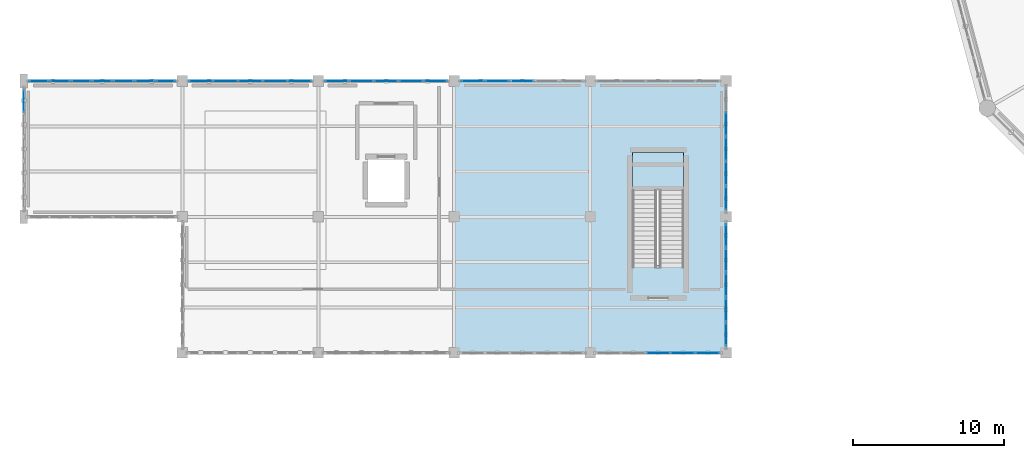
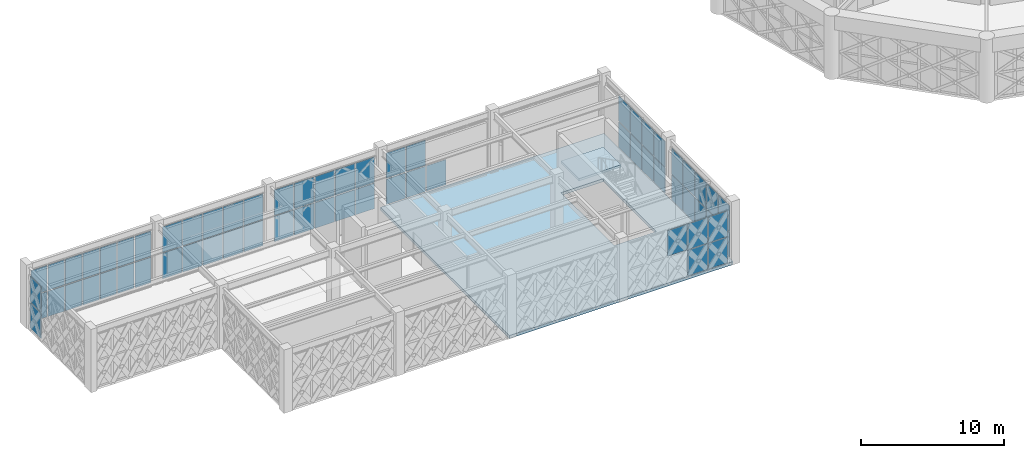
# One storey, part 57 of 72: 64 plates, 2 slabs, 9 elements without a shape of their own.
"""IFC4 building model written with IfcOpenShell, lengths in metres."""

from ifc_helpers import new_model, si_unit, direction, frame, origin, origin_2d, place, context, subcontext, project, spatial, polyline, rectangle, outline, extrude, material, layer, layer_set, type_object, element, aggregate, save


model = new_model("IFC4")

# Units and contexts
model_context = context("Model", 3, precision=1e-05, world=origin(), true_north=direction((0.0, 1.0)))
body_context = subcontext(model_context, "Body", "Model", "MODEL_VIEW")
ifc_project = project(units=[si_unit("LENGTHUNIT", "METRE"), si_unit("AREAUNIT", "SQUARE_METRE"), si_unit("VOLUMEUNIT", "CUBIC_METRE"), si_unit("PLANEANGLEUNIT", "RADIAN"), si_unit("MASSUNIT", "GRAM", prefix="KILO")], contexts=[model_context])

# Site, building, storey
site_placement = place(None, origin())
site = spatial("IfcSite", under=ifc_project, at=site_placement, CompositionType="ELEMENT")
building_placement = place(site_placement, origin())
building = spatial("IfcBuilding", under=site, at=building_placement, Name="Haizhuo Lancet Aquarium", CompositionType="ELEMENT")
storey_placement = place(building_placement, frame((0.0, 0.0, 21.60009765625)))
storey = spatial("IfcBuildingStorey", under=building, at=storey_placement, Name="L04", CompositionType="ELEMENT", Elevation=21.60009765625)

# Curtain wall, plates
ifc_material_1 = material(Name="Aluminium 6063-T6", Category="aluminium")
curtain_wall_type_1 = type_object("IfcCurtainWallType", Name="CWD-8010x4550", PredefinedType="NOTDEFINED", material=ifc_material_1)
curtain_wall_1_placement = place(storey_placement, origin())
curtain_wall_1 = element("IfcCurtainWall", 1, at=curtain_wall_1_placement, inside=storey, type_object=curtain_wall_type_1, Name="L04 curtain wall CW-V6-L04-245", PredefinedType="NOTDEFINED")
ifc_material_2 = material(Name="Laminated Low-E Glass", Category="glass")
ifc_layer_1 = layer(ifc_material_2, 0.028076171875)
ifc_layer_set_1 = layer_set([ifc_layer_1], Name="Laminated Low-E Glass")
plate_type_1 = type_object("IfcPlateType", Name="CW-PNL-1", PredefinedType="CURTAIN_PANEL", material=ifc_layer_set_1)
plate_1_placement = place(storey_placement, frame((-82.5, -10.31494140625, 0.074951171875), z_axis=(0.0, 0.0, 1.0), x_axis=(0.0, 1.0, 0.0)))
plate_1 = element("IfcPlate", 2, at=plate_1_placement, type_object=plate_type_1, Name="CWD-80x45 panel 5.1", PredefinedType="CURTAIN_PANEL", context=body_context, shape_type="SweptSolid", body=[
    extrude(rectangle(XDim=1.489990234375, YDim=0.028076171875, at=origin_2d()), origin(), (0.0, 0.0, 1.0), 2.162109375),
])
plate_2_placement = place(storey_placement, frame((-82.5, -10.31494140625, 2.312744140625), z_axis=(0.0, 0.0, 1.0), x_axis=(0.0, 1.0, 0.0)))
plate_2 = element("IfcPlate", 3, at=plate_2_placement, type_object=plate_type_1, Name="CWD-80x45 panel 5.2", PredefinedType="CURTAIN_PANEL", context=body_context, shape_type="SweptSolid", body=[
    extrude(rectangle(XDim=1.489990234375, YDim=0.028076171875, at=origin_2d()), origin(), (0.0, 0.0, 1.0), 2.162109375),
])
aggregate(curtain_wall_1, [plate_1, plate_2])

curtain_wall_type_2 = type_object("IfcCurtainWallType", Name="CWO-8210x4550", PredefinedType="NOTDEFINED", material=ifc_material_1)
curtain_wall_2_placement = place(storey_placement, origin())
curtain_wall_2 = element("IfcCurtainWall", 4, at=curtain_wall_2_placement, inside=storey, type_object=curtain_wall_type_2, Name="L04 curtain wall CW-V6-L04-249", PredefinedType="NOTDEFINED")
plate_3_placement = place(storey_placement, frame((-52.763916015625, -9.0, 0.08056640625), z_axis=(0.0, 0.0, 1.0), x_axis=(1.0, 0.0, 0.0)))
plate_3 = element("IfcPlate", 5, at=plate_3_placement, type_object=plate_type_1, Name="CWO-82x45 panel 1.1", PredefinedType="CURTAIN_PANEL", context=body_context, shape_type="SweptSolid", body=[
    extrude(rectangle(XDim=1.52197265625, YDim=0.028076171875, at=origin_2d()), origin(), (0.0, 0.0, 1.0), 2.155029296875),
])
plate_4_placement = place(storey_placement, frame((-52.763916015625, -9.0, 2.314453125), z_axis=(0.0, 0.0, 1.0), x_axis=(1.0, 0.0, 0.0)))
plate_4 = element("IfcPlate", 6, at=plate_4_placement, type_object=plate_type_1, Name="CWO-82x45 panel 1.2", PredefinedType="CURTAIN_PANEL", context=body_context, shape_type="SweptSolid", body=[
    extrude(rectangle(XDim=1.52197265625, YDim=0.028076171875, at=origin_2d()), origin(), (0.0, 0.0, 1.0), 2.155029296875),
])
plate_5_placement = place(storey_placement, frame((-51.14208984375, -9.0, 0.08056640625), z_axis=(0.0, 0.0, 1.0), x_axis=(1.0, 0.0, 0.0)))
plate_5 = element("IfcPlate", 7, at=plate_5_placement, type_object=plate_type_1, Name="CWO-82x45 panel 2.1", PredefinedType="CURTAIN_PANEL", context=body_context, shape_type="SweptSolid", body=[
    extrude(rectangle(XDim=1.56201171875, YDim=0.028076171875, at=origin_2d()), origin(), (0.0, 0.0, 1.0), 2.155029296875),
])
plate_6_placement = place(storey_placement, frame((-51.14208984375, -9.0, 2.314453125), z_axis=(0.0, 0.0, 1.0), x_axis=(1.0, 0.0, 0.0)))
plate_6 = element("IfcPlate", 8, at=plate_6_placement, type_object=plate_type_1, Name="CWO-82x45 panel 2.2", PredefinedType="CURTAIN_PANEL", context=body_context, shape_type="SweptSolid", body=[
    extrude(rectangle(XDim=1.56201171875, YDim=0.028076171875, at=origin_2d()), origin(), (0.0, 0.0, 1.0), 2.155029296875),
])
plate_7_placement = place(storey_placement, frame((-49.5, -9.0, 0.08056640625), z_axis=(0.0, 0.0, 1.0), x_axis=(1.0, 0.0, 0.0)))
plate_7 = element("IfcPlate", 9, at=plate_7_placement, type_object=plate_type_1, Name="CWO-82x45 panel 3.1", PredefinedType="CURTAIN_PANEL", context=body_context, shape_type="SweptSolid", body=[
    extrude(rectangle(XDim=1.56201171875, YDim=0.028076171875, at=origin_2d()), origin(), (0.0, 0.0, 1.0), 2.155029296875),
])
aggregate(curtain_wall_2, [plate_3, plate_4, plate_5, plate_6, plate_7])

curtain_wall_type_3 = type_object("IfcCurtainWallType", Name="CWD-8210x4550", PredefinedType="NOTDEFINED", material=ifc_material_1)
curtain_wall_3_placement = place(storey_placement, origin())
curtain_wall_3 = element("IfcCurtainWall", 10, at=curtain_wall_3_placement, inside=storey, type_object=curtain_wall_type_3, Name="L04 curtain wall CW-V6-L04-253", PredefinedType="NOTDEFINED")
plate_8_placement = place(storey_placement, frame((-37.23193359375, -27.0, 0.06494140625), z_axis=(0.0, 0.0, 1.0), x_axis=(-1.0, 0.0, 0.0)))
plate_8 = element("IfcPlate", 11, at=plate_8_placement, type_object=plate_type_1, Name="CWD-82x45 panel 1.1", PredefinedType="CURTAIN_PANEL", context=body_context, shape_type="SweptSolid", body=[
    extrude(rectangle(XDim=1.5439453125, YDim=0.028076171875, at=origin_2d()), origin(), (0.0, 0.0, 1.0), 2.177978515625),
])
plate_9_placement = place(storey_placement, frame((-37.23193359375, -27.0, 2.30712890625), z_axis=(0.0, 0.0, 1.0), x_axis=(-1.0, 0.0, 0.0)))
plate_9 = element("IfcPlate", 12, at=plate_9_placement, type_object=plate_type_1, Name="CWD-82x45 panel 1.2", PredefinedType="CURTAIN_PANEL", context=body_context, shape_type="SweptSolid", body=[
    extrude(rectangle(XDim=1.5439453125, YDim=0.028076171875, at=origin_2d()), origin(), (0.0, 0.0, 1.0), 2.177978515625),
])
plate_10_placement = place(storey_placement, frame((-38.85791015625, -27.0, 0.06494140625), z_axis=(0.0, 0.0, 1.0), x_axis=(-1.0, 0.0, 0.0)))
plate_10 = element("IfcPlate", 13, at=plate_10_placement, type_object=plate_type_1, Name="CWD-82x45 panel 2.1", PredefinedType="CURTAIN_PANEL", context=body_context, shape_type="SweptSolid", body=[
    extrude(rectangle(XDim=1.576904296875, YDim=0.028076171875, at=origin_2d()), origin(), (0.0, 0.0, 1.0), 2.177978515625),
])
plate_11_placement = place(storey_placement, frame((-38.85791015625, -27.0, 2.30712890625), z_axis=(0.0, 0.0, 1.0), x_axis=(-1.0, 0.0, 0.0)))
plate_11 = element("IfcPlate", 14, at=plate_11_placement, type_object=plate_type_1, Name="CWD-82x45 panel 2.2", PredefinedType="CURTAIN_PANEL", context=body_context, shape_type="SweptSolid", body=[
    extrude(rectangle(XDim=1.576904296875, YDim=0.028076171875, at=origin_2d()), origin(), (0.0, 0.0, 1.0), 2.177978515625),
])
plate_12_placement = place(storey_placement, frame((-40.5, -27.0, 2.30712890625), z_axis=(0.0, 0.0, 1.0), x_axis=(-1.0, 0.0, 0.0)))
plate_12 = element("IfcPlate", 15, at=plate_12_placement, type_object=plate_type_1, Name="CWD-82x45 panel 3.2", PredefinedType="CURTAIN_PANEL", context=body_context, shape_type="SweptSolid", body=[
    extrude(rectangle(XDim=1.576904296875, YDim=0.028076171875, at=origin_2d()), origin(), (0.0, 0.0, 1.0), 2.177978515625),
])
aggregate(curtain_wall_3, [plate_8, plate_9, plate_10, plate_11, plate_12])

curtain_wall_type_4 = type_object("IfcCurtainWallType", Name="CWO-9810x4550", PredefinedType="NOTDEFINED", material=ifc_material_1)
curtain_wall_4_placement = place(storey_placement, origin())
curtain_wall_4 = element("IfcCurtainWall", 16, at=curtain_wall_4_placement, inside=storey, type_object=curtain_wall_type_4, Name="L04 curtain wall CW-V6-L04-246", PredefinedType="NOTDEFINED")
ifc_layer_2 = layer(ifc_material_2, 0.033935546875)
ifc_layer_set_2 = layer_set([ifc_layer_2], Name="Laminated Low-E Glass")
plate_type_2 = type_object("IfcPlateType", Name="CW-PNL-2", PredefinedType="CURTAIN_PANEL", material=ifc_layer_set_2)
plate_13_placement = place(storey_placement, frame((-81.48388671875, -9.0, 0.08056640625), z_axis=(0.0, 0.0, 1.0), x_axis=(1.0, 0.0, 0.0)))
plate_13 = element("IfcPlate", 17, at=plate_13_placement, type_object=plate_type_2, Name="CWO-98x45 panel 1.1", PredefinedType="CURTAIN_PANEL", context=body_context, shape_type="SweptSolid", body=[
    extrude(rectangle(XDim=1.281005859375, YDim=0.033935546875, at=origin_2d()), origin(), (0.0, 0.0, 1.0), 2.155029296875),
])
plate_14_placement = place(storey_placement, frame((-81.48388671875, -9.0, 2.314453125), z_axis=(0.0, 0.0, 1.0), x_axis=(1.0, 0.0, 0.0)))
plate_14 = element("IfcPlate", 18, at=plate_14_placement, type_object=plate_type_2, Name="CWO-98x45 panel 1.2", PredefinedType="CURTAIN_PANEL", context=body_context, shape_type="SweptSolid", body=[
    extrude(rectangle(XDim=1.281005859375, YDim=0.033935546875, at=origin_2d()), origin(), (0.0, 0.0, 1.0), 2.155029296875),
])
plate_15_placement = place(storey_placement, frame((-80.10302734375, -9.0, 0.08056640625), z_axis=(0.0, 0.0, 1.0), x_axis=(1.0, 0.0, 0.0)))
plate_15 = element("IfcPlate", 19, at=plate_15_placement, type_object=plate_type_2, Name="CWO-98x45 panel 2.1", PredefinedType="CURTAIN_PANEL", context=body_context, shape_type="SweptSolid", body=[
    extrude(rectangle(XDim=1.321044921875, YDim=0.033935546875, at=origin_2d()), origin(), (0.0, 0.0, 1.0), 2.155029296875),
])
plate_16_placement = place(storey_placement, frame((-80.10302734375, -9.0, 2.314453125), z_axis=(0.0, 0.0, 1.0), x_axis=(1.0, 0.0, 0.0)))
plate_16 = element("IfcPlate", 20, at=plate_16_placement, type_object=plate_type_2, Name="CWO-98x45 panel 2.2", PredefinedType="CURTAIN_PANEL", context=body_context, shape_type="SweptSolid", body=[
    extrude(rectangle(XDim=1.321044921875, YDim=0.033935546875, at=origin_2d()), origin(), (0.0, 0.0, 1.0), 2.155029296875),
])
plate_17_placement = place(storey_placement, frame((-78.700927734375, -9.0, 0.08056640625), z_axis=(0.0, 0.0, 1.0), x_axis=(1.0, 0.0, 0.0)))
plate_17 = element("IfcPlate", 21, at=plate_17_placement, type_object=plate_type_2, Name="CWO-98x45 panel 3.1", PredefinedType="CURTAIN_PANEL", context=body_context, shape_type="SweptSolid", body=[
    extrude(rectangle(XDim=1.321044921875, YDim=0.033935546875, at=origin_2d()), origin(), (0.0, 0.0, 1.0), 2.155029296875),
])
plate_18_placement = place(storey_placement, frame((-78.700927734375, -9.0, 2.314453125), z_axis=(0.0, 0.0, 1.0), x_axis=(1.0, 0.0, 0.0)))
plate_18 = element("IfcPlate", 22, at=plate_18_placement, type_object=plate_type_2, Name="CWO-98x45 panel 3.2", PredefinedType="CURTAIN_PANEL", context=body_context, shape_type="SweptSolid", body=[
    extrude(rectangle(XDim=1.321044921875, YDim=0.033935546875, at=origin_2d()), origin(), (0.0, 0.0, 1.0), 2.155029296875),
])
plate_19_placement = place(storey_placement, frame((-77.300048828125, -9.0, 0.08056640625), z_axis=(0.0, 0.0, 1.0), x_axis=(1.0, 0.0, 0.0)))
plate_19 = element("IfcPlate", 23, at=plate_19_placement, type_object=plate_type_2, Name="CWO-98x45 panel 4.1", PredefinedType="CURTAIN_PANEL", context=body_context, shape_type="SweptSolid", body=[
    extrude(rectangle(XDim=1.321044921875, YDim=0.033935546875, at=origin_2d()), origin(), (0.0, 0.0, 1.0), 2.155029296875),
])
plate_20_placement = place(storey_placement, frame((-77.300048828125, -9.0, 2.314453125), z_axis=(0.0, 0.0, 1.0), x_axis=(1.0, 0.0, 0.0)))
plate_20 = element("IfcPlate", 24, at=plate_20_placement, type_object=plate_type_2, Name="CWO-98x45 panel 4.2", PredefinedType="CURTAIN_PANEL", context=body_context, shape_type="SweptSolid", body=[
    extrude(rectangle(XDim=1.321044921875, YDim=0.033935546875, at=origin_2d()), origin(), (0.0, 0.0, 1.0), 2.155029296875),
])
plate_21_placement = place(storey_placement, frame((-75.89892578125, -9.0, 0.08056640625), z_axis=(0.0, 0.0, 1.0), x_axis=(1.0, 0.0, 0.0)))
plate_21 = element("IfcPlate", 25, at=plate_21_placement, type_object=plate_type_2, Name="CWO-98x45 panel 5.1", PredefinedType="CURTAIN_PANEL", context=body_context, shape_type="SweptSolid", body=[
    extrude(rectangle(XDim=1.321044921875, YDim=0.033935546875, at=origin_2d()), origin(), (0.0, 0.0, 1.0), 2.155029296875),
])
plate_22_placement = place(storey_placement, frame((-75.89892578125, -9.0, 2.314453125), z_axis=(0.0, 0.0, 1.0), x_axis=(1.0, 0.0, 0.0)))
plate_22 = element("IfcPlate", 26, at=plate_22_placement, type_object=plate_type_2, Name="CWO-98x45 panel 5.2", PredefinedType="CURTAIN_PANEL", context=body_context, shape_type="SweptSolid", body=[
    extrude(rectangle(XDim=1.321044921875, YDim=0.033935546875, at=origin_2d()), origin(), (0.0, 0.0, 1.0), 2.155029296875),
])
plate_23_placement = place(storey_placement, frame((-74.4970703125, -9.0, 0.08056640625), z_axis=(0.0, 0.0, 1.0), x_axis=(1.0, 0.0, 0.0)))
plate_23 = element("IfcPlate", 27, at=plate_23_placement, type_object=plate_type_2, Name="CWO-98x45 panel 6.1", PredefinedType="CURTAIN_PANEL", context=body_context, shape_type="SweptSolid", body=[
    extrude(rectangle(XDim=1.321044921875, YDim=0.033935546875, at=origin_2d()), origin(), (0.0, 0.0, 1.0), 2.155029296875),
])
plate_24_placement = place(storey_placement, frame((-74.4970703125, -9.0, 2.314453125), z_axis=(0.0, 0.0, 1.0), x_axis=(1.0, 0.0, 0.0)))
plate_24 = element("IfcPlate", 28, at=plate_24_placement, type_object=plate_type_2, Name="CWO-98x45 panel 6.2", PredefinedType="CURTAIN_PANEL", context=body_context, shape_type="SweptSolid", body=[
    extrude(rectangle(XDim=1.321044921875, YDim=0.033935546875, at=origin_2d()), origin(), (0.0, 0.0, 1.0), 2.155029296875),
])
plate_25_placement = place(storey_placement, frame((-73.115966796875, -9.0, 0.08056640625), z_axis=(0.0, 0.0, 1.0), x_axis=(1.0, 0.0, 0.0)))
plate_25 = element("IfcPlate", 29, at=plate_25_placement, type_object=plate_type_2, Name="CWO-98x45 panel 7.1", PredefinedType="CURTAIN_PANEL", context=body_context, shape_type="SweptSolid", body=[
    extrude(rectangle(XDim=1.281005859375, YDim=0.033935546875, at=origin_2d()), origin(), (0.0, 0.0, 1.0), 2.155029296875),
])
plate_26_placement = place(storey_placement, frame((-73.115966796875, -9.0, 2.314453125), z_axis=(0.0, 0.0, 1.0), x_axis=(1.0, 0.0, 0.0)))
plate_26 = element("IfcPlate", 30, at=plate_26_placement, type_object=plate_type_2, Name="CWO-98x45 panel 7.2", PredefinedType="CURTAIN_PANEL", context=body_context, shape_type="SweptSolid", body=[
    extrude(rectangle(XDim=1.281005859375, YDim=0.033935546875, at=origin_2d()), origin(), (0.0, 0.0, 1.0), 2.155029296875),
])
aggregate(curtain_wall_4, [plate_13, plate_14, plate_15, plate_16, plate_17, plate_18, plate_19, plate_20, plate_21, plate_22, plate_23, plate_24, plate_25, plate_26])

curtain_wall_5_placement = place(storey_placement, origin())
curtain_wall_5 = element("IfcCurtainWall", 31, at=curtain_wall_5_placement, inside=storey, type_object=curtain_wall_type_2, Name="L04 curtain wall CW-V6-L04-247", PredefinedType="NOTDEFINED")
ifc_layer_3 = layer(ifc_material_2, 0.0419921875)
ifc_layer_set_3 = layer_set([ifc_layer_3], Name="Laminated Low-E Glass")
plate_type_3 = type_object("IfcPlateType", Name="CW-PNL-3", PredefinedType="CURTAIN_PANEL", material=ifc_layer_set_3)
plate_27_placement = place(storey_placement, frame((-70.76806640625, -9.0, 0.06494140625), z_axis=(0.0, 0.0, 1.0), x_axis=(1.0, 0.0, 0.0)))
plate_27 = element("IfcPlate", 32, at=plate_27_placement, type_object=plate_type_3, Name="CWO-82x45 panel 1.1", PredefinedType="CURTAIN_PANEL", context=body_context, shape_type="SweptSolid", body=[
    extrude(rectangle(XDim=1.544921875, YDim=0.0419921875, at=origin_2d()), origin(), (0.0, 0.0, 1.0), 2.177978515625),
])
plate_28_placement = place(storey_placement, frame((-70.76806640625, -9.0, 2.30712890625), z_axis=(0.0, 0.0, 1.0), x_axis=(1.0, 0.0, 0.0)))
plate_28 = element("IfcPlate", 33, at=plate_28_placement, type_object=plate_type_3, Name="CWO-82x45 panel 1.2", PredefinedType="CURTAIN_PANEL", context=body_context, shape_type="SweptSolid", body=[
    extrude(rectangle(XDim=1.544921875, YDim=0.0419921875, at=origin_2d()), origin(), (0.0, 0.0, 1.0), 2.177978515625),
])
plate_29_placement = place(storey_placement, frame((-69.14208984375, -9.0, 0.06494140625), z_axis=(0.0, 0.0, 1.0), x_axis=(1.0, 0.0, 0.0)))
plate_29 = element("IfcPlate", 34, at=plate_29_placement, type_object=plate_type_3, Name="CWO-82x45 panel 2.1", PredefinedType="CURTAIN_PANEL", context=body_context, shape_type="SweptSolid", body=[
    extrude(rectangle(XDim=1.576904296875, YDim=0.0419921875, at=origin_2d()), origin(), (0.0, 0.0, 1.0), 2.177978515625),
])
plate_30_placement = place(storey_placement, frame((-69.14208984375, -9.0, 2.30712890625), z_axis=(0.0, 0.0, 1.0), x_axis=(1.0, 0.0, 0.0)))
plate_30 = element("IfcPlate", 35, at=plate_30_placement, type_object=plate_type_3, Name="CWO-82x45 panel 2.2", PredefinedType="CURTAIN_PANEL", context=body_context, shape_type="SweptSolid", body=[
    extrude(rectangle(XDim=1.576904296875, YDim=0.0419921875, at=origin_2d()), origin(), (0.0, 0.0, 1.0), 2.177978515625),
])
plate_31_placement = place(storey_placement, frame((-67.5, -9.0, 0.06494140625), z_axis=(0.0, 0.0, 1.0), x_axis=(1.0, 0.0, 0.0)))
plate_31 = element("IfcPlate", 36, at=plate_31_placement, type_object=plate_type_3, Name="CWO-82x45 panel 3.1", PredefinedType="CURTAIN_PANEL", context=body_context, shape_type="SweptSolid", body=[
    extrude(rectangle(XDim=1.576904296875, YDim=0.0419921875, at=origin_2d()), origin(), (0.0, 0.0, 1.0), 2.177978515625),
])
plate_32_placement = place(storey_placement, frame((-67.5, -9.0, 2.30712890625), z_axis=(0.0, 0.0, 1.0), x_axis=(1.0, 0.0, 0.0)))
plate_32 = element("IfcPlate", 37, at=plate_32_placement, type_object=plate_type_3, Name="CWO-82x45 panel 3.2", PredefinedType="CURTAIN_PANEL", context=body_context, shape_type="SweptSolid", body=[
    extrude(rectangle(XDim=1.576904296875, YDim=0.0419921875, at=origin_2d()), origin(), (0.0, 0.0, 1.0), 2.177978515625),
])
plate_33_placement = place(storey_placement, frame((-65.85791015625, -9.0, 0.06494140625), z_axis=(0.0, 0.0, 1.0), x_axis=(1.0, 0.0, 0.0)))
plate_33 = element("IfcPlate", 38, at=plate_33_placement, type_object=plate_type_3, Name="CWO-82x45 panel 4.1", PredefinedType="CURTAIN_PANEL", context=body_context, shape_type="SweptSolid", body=[
    extrude(rectangle(XDim=1.576904296875, YDim=0.0419921875, at=origin_2d()), origin(), (0.0, 0.0, 1.0), 2.177978515625),
])
plate_34_placement = place(storey_placement, frame((-65.85791015625, -9.0, 2.30712890625), z_axis=(0.0, 0.0, 1.0), x_axis=(1.0, 0.0, 0.0)))
plate_34 = element("IfcPlate", 39, at=plate_34_placement, type_object=plate_type_3, Name="CWO-82x45 panel 4.2", PredefinedType="CURTAIN_PANEL", context=body_context, shape_type="SweptSolid", body=[
    extrude(rectangle(XDim=1.576904296875, YDim=0.0419921875, at=origin_2d()), origin(), (0.0, 0.0, 1.0), 2.177978515625),
])
plate_35_placement = place(storey_placement, frame((-64.23193359375, -9.0, 0.06494140625), z_axis=(0.0, 0.0, 1.0), x_axis=(1.0, 0.0, 0.0)))
plate_35 = element("IfcPlate", 40, at=plate_35_placement, type_object=plate_type_3, Name="CWO-82x45 panel 5.1", PredefinedType="CURTAIN_PANEL", context=body_context, shape_type="SweptSolid", body=[
    extrude(rectangle(XDim=1.5439453125, YDim=0.0419921875, at=origin_2d()), origin(), (0.0, 0.0, 1.0), 2.177978515625),
])
plate_36_placement = place(storey_placement, frame((-64.23193359375, -9.0, 2.30712890625), z_axis=(0.0, 0.0, 1.0), x_axis=(1.0, 0.0, 0.0)))
plate_36 = element("IfcPlate", 41, at=plate_36_placement, type_object=plate_type_3, Name="CWO-82x45 panel 5.2", PredefinedType="CURTAIN_PANEL", context=body_context, shape_type="SweptSolid", body=[
    extrude(rectangle(XDim=1.5439453125, YDim=0.0419921875, at=origin_2d()), origin(), (0.0, 0.0, 1.0), 2.177978515625),
])
aggregate(curtain_wall_5, [plate_27, plate_28, plate_29, plate_30, plate_31, plate_32, plate_33, plate_34, plate_35, plate_36])

curtain_wall_6_placement = place(storey_placement, origin())
curtain_wall_6 = element("IfcCurtainWall", 42, at=curtain_wall_6_placement, inside=storey, type_object=curtain_wall_type_3, Name="L04 curtain wall CW-V6-L04-251", PredefinedType="NOTDEFINED")
plate_37_placement = place(storey_placement, frame((-36.0, -11.85791015625, 0.074951171875), z_axis=(0.0, 0.0, 1.0), x_axis=(0.0, -1.0, 0.0)))
plate_37 = element("IfcPlate", 43, at=plate_37_placement, type_object=plate_type_3, Name="CWD-82x45 panel 2.1", PredefinedType="CURTAIN_PANEL", context=body_context, shape_type="SweptSolid", body=[
    extrude(rectangle(XDim=1.56689453125, YDim=0.0419921875, at=origin_2d()), origin(), (0.0, 0.0, 1.0), 2.162109375),
])
plate_38_placement = place(storey_placement, frame((-36.0, -11.85791015625, 2.312744140625), z_axis=(0.0, 0.0, 1.0), x_axis=(0.0, -1.0, 0.0)))
plate_38 = element("IfcPlate", 44, at=plate_38_placement, type_object=plate_type_3, Name="CWD-82x45 panel 2.2", PredefinedType="CURTAIN_PANEL", context=body_context, shape_type="SweptSolid", body=[
    extrude(rectangle(XDim=1.56689453125, YDim=0.0419921875, at=origin_2d()), origin(), (0.0, 0.0, 1.0), 2.162109375),
])
plate_39_placement = place(storey_placement, frame((-36.0, -13.5, 0.074951171875), z_axis=(0.0, 0.0, 1.0), x_axis=(0.0, -1.0, 0.0)))
plate_39 = element("IfcPlate", 45, at=plate_39_placement, type_object=plate_type_3, Name="CWD-82x45 panel 3.1", PredefinedType="CURTAIN_PANEL", context=body_context, shape_type="SweptSolid", body=[
    extrude(rectangle(XDim=1.56689453125, YDim=0.0419921875, at=origin_2d()), origin(), (0.0, 0.0, 1.0), 2.162109375),
])
plate_40_placement = place(storey_placement, frame((-36.0, -13.5, 2.312744140625), z_axis=(0.0, 0.0, 1.0), x_axis=(0.0, -1.0, 0.0)))
plate_40 = element("IfcPlate", 46, at=plate_40_placement, type_object=plate_type_3, Name="CWD-82x45 panel 3.2", PredefinedType="CURTAIN_PANEL", context=body_context, shape_type="SweptSolid", body=[
    extrude(rectangle(XDim=1.56689453125, YDim=0.0419921875, at=origin_2d()), origin(), (0.0, 0.0, 1.0), 2.162109375),
])
plate_41_placement = place(storey_placement, frame((-36.0, -15.14208984375, 0.074951171875), z_axis=(0.0, 0.0, 1.0), x_axis=(0.0, -1.0, 0.0)))
plate_41 = element("IfcPlate", 47, at=plate_41_placement, type_object=plate_type_3, Name="CWD-82x45 panel 4.1", PredefinedType="CURTAIN_PANEL", context=body_context, shape_type="SweptSolid", body=[
    extrude(rectangle(XDim=1.56689453125, YDim=0.0419921875, at=origin_2d()), origin(), (0.0, 0.0, 1.0), 2.162109375),
])
plate_42_placement = place(storey_placement, frame((-36.0, -15.14208984375, 2.312744140625), z_axis=(0.0, 0.0, 1.0), x_axis=(0.0, -1.0, 0.0)))
plate_42 = element("IfcPlate", 48, at=plate_42_placement, type_object=plate_type_3, Name="CWD-82x45 panel 4.2", PredefinedType="CURTAIN_PANEL", context=body_context, shape_type="SweptSolid", body=[
    extrude(rectangle(XDim=1.56689453125, YDim=0.0419921875, at=origin_2d()), origin(), (0.0, 0.0, 1.0), 2.162109375),
])
plate_43_placement = place(storey_placement, frame((-36.0, -16.764892578125, 0.074951171875), z_axis=(0.0, 0.0, 1.0), x_axis=(0.0, -1.0, 0.0)))
plate_43 = element("IfcPlate", 49, at=plate_43_placement, type_object=plate_type_3, Name="CWD-82x45 panel 5.1", PredefinedType="CURTAIN_PANEL", context=body_context, shape_type="SweptSolid", body=[
    extrude(rectangle(XDim=1.530029296875, YDim=0.0419921875, at=origin_2d()), origin(), (0.0, 0.0, 1.0), 2.162109375),
])
plate_44_placement = place(storey_placement, frame((-36.0, -16.764892578125, 2.312744140625), z_axis=(0.0, 0.0, 1.0), x_axis=(0.0, -1.0, 0.0)))
plate_44 = element("IfcPlate", 50, at=plate_44_placement, type_object=plate_type_3, Name="CWD-82x45 panel 5.2", PredefinedType="CURTAIN_PANEL", context=body_context, shape_type="SweptSolid", body=[
    extrude(rectangle(XDim=1.530029296875, YDim=0.0419921875, at=origin_2d()), origin(), (0.0, 0.0, 1.0), 2.162109375),
])
aggregate(curtain_wall_6, [plate_37, plate_38, plate_39, plate_40, plate_41, plate_42, plate_43, plate_44])

curtain_wall_7_placement = place(storey_placement, origin())
curtain_wall_7 = element("IfcCurtainWall", 51, at=curtain_wall_7_placement, inside=storey, type_object=curtain_wall_type_2, Name="L04 curtain wall CW-V6-L04-248", PredefinedType="NOTDEFINED")
ifc_layer_4 = layer(ifc_material_2, 0.052001953125)
ifc_layer_set_4 = layer_set([ifc_layer_4], Name="Laminated Low-E Glass")
plate_type_4 = type_object("IfcPlateType", Name="CW-PNL-4", PredefinedType="CURTAIN_PANEL", material=ifc_layer_set_4)
plate_45_placement = place(storey_placement, frame((-61.764892578125, -9.0, 0.074951171875), z_axis=(0.0, 0.0, 1.0), x_axis=(1.0, 0.0, 0.0)))
plate_45 = element("IfcPlate", 52, at=plate_45_placement, type_object=plate_type_4, Name="CWO-82x45 panel 1.1", PredefinedType="CURTAIN_PANEL", context=body_context, shape_type="SweptSolid", body=[
    extrude(rectangle(XDim=1.529052734375, YDim=0.052001953125, at=origin_2d()), origin(), (0.0, 0.0, 1.0), 2.162109375),
])
plate_46_placement = place(storey_placement, frame((-61.764892578125, -9.0, 2.312744140625), z_axis=(0.0, 0.0, 1.0), x_axis=(1.0, 0.0, 0.0)))
plate_46 = element("IfcPlate", 53, at=plate_46_placement, type_object=plate_type_4, Name="CWO-82x45 panel 1.2", PredefinedType="CURTAIN_PANEL", context=body_context, shape_type="SweptSolid", body=[
    extrude(rectangle(XDim=1.529052734375, YDim=0.052001953125, at=origin_2d()), origin(), (0.0, 0.0, 1.0), 2.162109375),
])
plate_47_placement = place(storey_placement, frame((-60.14208984375, -9.0, 0.074951171875), z_axis=(0.0, 0.0, 1.0), x_axis=(1.0, 0.0, 0.0)))
plate_47 = element("IfcPlate", 54, at=plate_47_placement, type_object=plate_type_4, Name="CWO-82x45 panel 2.1", PredefinedType="CURTAIN_PANEL", context=body_context, shape_type="SweptSolid", body=[
    extrude(rectangle(XDim=1.56689453125, YDim=0.052001953125, at=origin_2d()), origin(), (0.0, 0.0, 1.0), 2.162109375),
])
plate_48_placement = place(storey_placement, frame((-60.14208984375, -9.0, 2.312744140625), z_axis=(0.0, 0.0, 1.0), x_axis=(1.0, 0.0, 0.0)))
plate_48 = element("IfcPlate", 55, at=plate_48_placement, type_object=plate_type_4, Name="CWO-82x45 panel 2.2", PredefinedType="CURTAIN_PANEL", context=body_context, shape_type="SweptSolid", body=[
    extrude(rectangle(XDim=1.56689453125, YDim=0.052001953125, at=origin_2d()), origin(), (0.0, 0.0, 1.0), 2.162109375),
])
plate_49_placement = place(storey_placement, frame((-58.5, -9.0, 0.074951171875), z_axis=(0.0, 0.0, 1.0), x_axis=(1.0, 0.0, 0.0)))
plate_49 = element("IfcPlate", 56, at=plate_49_placement, type_object=plate_type_4, Name="CWO-82x45 panel 3.1", PredefinedType="CURTAIN_PANEL", context=body_context, shape_type="SweptSolid", body=[
    extrude(rectangle(XDim=1.56689453125, YDim=0.052001953125, at=origin_2d()), origin(), (0.0, 0.0, 1.0), 2.162109375),
])
plate_50_placement = place(storey_placement, frame((-58.5, -9.0, 2.312744140625), z_axis=(0.0, 0.0, 1.0), x_axis=(1.0, 0.0, 0.0)))
plate_50 = element("IfcPlate", 57, at=plate_50_placement, type_object=plate_type_4, Name="CWO-82x45 panel 3.2", PredefinedType="CURTAIN_PANEL", context=body_context, shape_type="SweptSolid", body=[
    extrude(rectangle(XDim=1.56689453125, YDim=0.052001953125, at=origin_2d()), origin(), (0.0, 0.0, 1.0), 2.162109375),
])
plate_51_placement = place(storey_placement, frame((-56.85791015625, -9.0, 0.074951171875), z_axis=(0.0, 0.0, 1.0), x_axis=(1.0, 0.0, 0.0)))
plate_51 = element("IfcPlate", 58, at=plate_51_placement, type_object=plate_type_4, Name="CWO-82x45 panel 4.1", PredefinedType="CURTAIN_PANEL", context=body_context, shape_type="SweptSolid", body=[
    extrude(rectangle(XDim=1.56689453125, YDim=0.052001953125, at=origin_2d()), origin(), (0.0, 0.0, 1.0), 2.162109375),
])
plate_52_placement = place(storey_placement, frame((-56.85791015625, -9.0, 2.312744140625), z_axis=(0.0, 0.0, 1.0), x_axis=(1.0, 0.0, 0.0)))
plate_52 = element("IfcPlate", 59, at=plate_52_placement, type_object=plate_type_4, Name="CWO-82x45 panel 4.2", PredefinedType="CURTAIN_PANEL", context=body_context, shape_type="SweptSolid", body=[
    extrude(rectangle(XDim=1.56689453125, YDim=0.052001953125, at=origin_2d()), origin(), (0.0, 0.0, 1.0), 2.162109375),
])
plate_53_placement = place(storey_placement, frame((-55.235107421875, -9.0, 0.074951171875), z_axis=(0.0, 0.0, 1.0), x_axis=(1.0, 0.0, 0.0)))
plate_53 = element("IfcPlate", 60, at=plate_53_placement, type_object=plate_type_4, Name="CWO-82x45 panel 5.1", PredefinedType="CURTAIN_PANEL", context=body_context, shape_type="SweptSolid", body=[
    extrude(rectangle(XDim=1.529052734375, YDim=0.052001953125, at=origin_2d()), origin(), (0.0, 0.0, 1.0), 2.162109375),
])
plate_54_placement = place(storey_placement, frame((-55.235107421875, -9.0, 2.312744140625), z_axis=(0.0, 0.0, 1.0), x_axis=(1.0, 0.0, 0.0)))
plate_54 = element("IfcPlate", 61, at=plate_54_placement, type_object=plate_type_4, Name="CWO-82x45 panel 5.2", PredefinedType="CURTAIN_PANEL", context=body_context, shape_type="SweptSolid", body=[
    extrude(rectangle(XDim=1.529052734375, YDim=0.052001953125, at=origin_2d()), origin(), (0.0, 0.0, 1.0), 2.162109375),
])
aggregate(curtain_wall_7, [plate_45, plate_46, plate_47, plate_48, plate_49, plate_50, plate_51, plate_52, plate_53, plate_54])

curtain_wall_8_placement = place(storey_placement, origin())
curtain_wall_8 = element("IfcCurtainWall", 62, at=curtain_wall_8_placement, inside=storey, type_object=curtain_wall_type_3, Name="L04 curtain wall CW-V6-L04-252", PredefinedType="NOTDEFINED")
plate_55_placement = place(storey_placement, frame((-36.0, -19.236083984375, 0.08056640625), z_axis=(0.0, 0.0, 1.0), x_axis=(0.0, -1.0, 0.0)))
plate_55 = element("IfcPlate", 63, at=plate_55_placement, type_object=plate_type_4, Name="CWD-82x45 panel 1.1", PredefinedType="CURTAIN_PANEL", context=body_context, shape_type="SweptSolid", body=[
    extrude(rectangle(XDim=1.52197265625, YDim=0.052001953125, at=origin_2d()), origin(), (0.0, 0.0, 1.0), 2.155029296875),
])
plate_56_placement = place(storey_placement, frame((-36.0, -19.236083984375, 2.314453125), z_axis=(0.0, 0.0, 1.0), x_axis=(0.0, -1.0, 0.0)))
plate_56 = element("IfcPlate", 64, at=plate_56_placement, type_object=plate_type_4, Name="CWD-82x45 panel 1.2", PredefinedType="CURTAIN_PANEL", context=body_context, shape_type="SweptSolid", body=[
    extrude(rectangle(XDim=1.52197265625, YDim=0.052001953125, at=origin_2d()), origin(), (0.0, 0.0, 1.0), 2.155029296875),
])
plate_57_placement = place(storey_placement, frame((-36.0, -20.85791015625, 0.08056640625), z_axis=(0.0, 0.0, 1.0), x_axis=(0.0, -1.0, 0.0)))
plate_57 = element("IfcPlate", 65, at=plate_57_placement, type_object=plate_type_4, Name="CWD-82x45 panel 2.1", PredefinedType="CURTAIN_PANEL", context=body_context, shape_type="SweptSolid", body=[
    extrude(rectangle(XDim=1.56201171875, YDim=0.052001953125, at=origin_2d()), origin(), (0.0, 0.0, 1.0), 2.155029296875),
])
plate_58_placement = place(storey_placement, frame((-36.0, -20.85791015625, 2.314453125), z_axis=(0.0, 0.0, 1.0), x_axis=(0.0, -1.0, 0.0)))
plate_58 = element("IfcPlate", 66, at=plate_58_placement, type_object=plate_type_4, Name="CWD-82x45 panel 2.2", PredefinedType="CURTAIN_PANEL", context=body_context, shape_type="SweptSolid", body=[
    extrude(rectangle(XDim=1.56201171875, YDim=0.052001953125, at=origin_2d()), origin(), (0.0, 0.0, 1.0), 2.155029296875),
])
plate_59_placement = place(storey_placement, frame((-36.0, -22.5, 0.08056640625), z_axis=(0.0, 0.0, 1.0), x_axis=(0.0, -1.0, 0.0)))
plate_59 = element("IfcPlate", 67, at=plate_59_placement, type_object=plate_type_4, Name="CWD-82x45 panel 3.1", PredefinedType="CURTAIN_PANEL", context=body_context, shape_type="SweptSolid", body=[
    extrude(rectangle(XDim=1.56201171875, YDim=0.052001953125, at=origin_2d()), origin(), (0.0, 0.0, 1.0), 2.155029296875),
])
plate_60_placement = place(storey_placement, frame((-36.0, -22.5, 2.314453125), z_axis=(0.0, 0.0, 1.0), x_axis=(0.0, -1.0, 0.0)))
plate_60 = element("IfcPlate", 68, at=plate_60_placement, type_object=plate_type_4, Name="CWD-82x45 panel 3.2", PredefinedType="CURTAIN_PANEL", context=body_context, shape_type="SweptSolid", body=[
    extrude(rectangle(XDim=1.56201171875, YDim=0.052001953125, at=origin_2d()), origin(), (0.0, 0.0, 1.0), 2.155029296875),
])
plate_61_placement = place(storey_placement, frame((-36.0, -24.14208984375, 0.08056640625), z_axis=(0.0, 0.0, 1.0), x_axis=(0.0, -1.0, 0.0)))
plate_61 = element("IfcPlate", 69, at=plate_61_placement, type_object=plate_type_4, Name="CWD-82x45 panel 4.1", PredefinedType="CURTAIN_PANEL", context=body_context, shape_type="SweptSolid", body=[
    extrude(rectangle(XDim=1.56201171875, YDim=0.052001953125, at=origin_2d()), origin(), (0.0, 0.0, 1.0), 2.155029296875),
])
plate_62_placement = place(storey_placement, frame((-36.0, -24.14208984375, 2.314453125), z_axis=(0.0, 0.0, 1.0), x_axis=(0.0, -1.0, 0.0)))
plate_62 = element("IfcPlate", 70, at=plate_62_placement, type_object=plate_type_4, Name="CWD-82x45 panel 4.2", PredefinedType="CURTAIN_PANEL", context=body_context, shape_type="SweptSolid", body=[
    extrude(rectangle(XDim=1.56201171875, YDim=0.052001953125, at=origin_2d()), origin(), (0.0, 0.0, 1.0), 2.155029296875),
])
plate_63_placement = place(storey_placement, frame((-36.0, -25.763916015625, 0.08056640625), z_axis=(0.0, 0.0, 1.0), x_axis=(0.0, -1.0, 0.0)))
plate_63 = element("IfcPlate", 71, at=plate_63_placement, type_object=plate_type_4, Name="CWD-82x45 panel 5.1", PredefinedType="CURTAIN_PANEL", context=body_context, shape_type="SweptSolid", body=[
    extrude(rectangle(XDim=1.52197265625, YDim=0.052001953125, at=origin_2d()), origin(), (0.0, 0.0, 1.0), 2.155029296875),
])
plate_64_placement = place(storey_placement, frame((-36.0, -25.763916015625, 2.314453125), z_axis=(0.0, 0.0, 1.0), x_axis=(0.0, -1.0, 0.0)))
plate_64 = element("IfcPlate", 72, at=plate_64_placement, type_object=plate_type_4, Name="CWD-82x45 panel 5.2", PredefinedType="CURTAIN_PANEL", context=body_context, shape_type="SweptSolid", body=[
    extrude(rectangle(XDim=1.52197265625, YDim=0.052001953125, at=origin_2d()), origin(), (0.0, 0.0, 1.0), 2.155029296875),
])
aggregate(curtain_wall_8, [plate_55, plate_56, plate_57, plate_58, plate_59, plate_60, plate_61, plate_62, plate_63, plate_64])

# Stair, slab
ifc_material_3 = material(Name="Concrete C40/50", Category="concrete")
stair_type = type_object("IfcStairType", Name="STR-HT-1600-54", PredefinedType="HALF_TURN_STAIR", material=ifc_material_3)
stair_placement = place(storey_placement, origin())
stair = element("IfcStair", 73, at=stair_placement, inside=storey, type_object=stair_type, Name="L04 enclosed exit stair ST-09", PredefinedType="HALF_TURN_STAIR")
ifc_layer_5 = layer(ifc_material_3, 0.199951171875)
ifc_layer_set_5 = layer_set([ifc_layer_5], Name="Concrete C40/50")
slab_type_1 = type_object("IfcSlabType", Name="SLB-LND-1600", PredefinedType="LANDING", material=ifc_layer_set_5)
slab_1_placement = place(storey_placement, frame((0.0, 0.0, 2.5)))
slab_1 = element("IfcSlab", 74, at=slab_1_placement, type_object=slab_type_1, Name="ST-15 landing 1", PredefinedType="LANDING", context=body_context, shape_type="SweptSolid", body=[
    extrude(outline(polyline([(-38.800048828125, -16.25), (-38.800048828125, -13.75), (-42.199951171875, -13.75), (-42.199951171875, -16.25), (-38.800048828125, -16.25)])), origin(), (0.0, 0.0, 1.0), 0.199951171875),
])
aggregate(stair, [slab_1])

# Slab
ifc_layer_6 = layer(ifc_material_3, 0.25)
ifc_layer_set_6 = layer_set([ifc_layer_6], Name="Concrete C40/50")
slab_type_2 = type_object("IfcSlabType", Name="SLB-TYP-250", PredefinedType="FLOOR", material=ifc_layer_set_6)
slab_2_placement = place(storey_placement, frame((0.0, 0.0, -0.25)))
element("IfcSlab", 75, at=slab_2_placement, inside=storey, type_object=slab_type_2, Name="L04 structural slab SL-L04-V6-02", PredefinedType="FLOOR", context=body_context, shape_type="SweptSolid", body=[
    extrude(outline(polyline([(-54.0, -9.0), (-54.0, -27.0), (-36.0, -27.0), (-36.0, -9.0), (-54.0, -9.0)]), holes=[polyline([(-38.800048828125, -13.75), (-42.199951171875, -13.75), (-42.199951171875, -21.169921875), (-38.800048828125, -21.169921875), (-38.800048828125, -13.75)])]), origin(), (0.0, 0.0, 1.0), 0.25),
])

save(model, "model.ifc")
